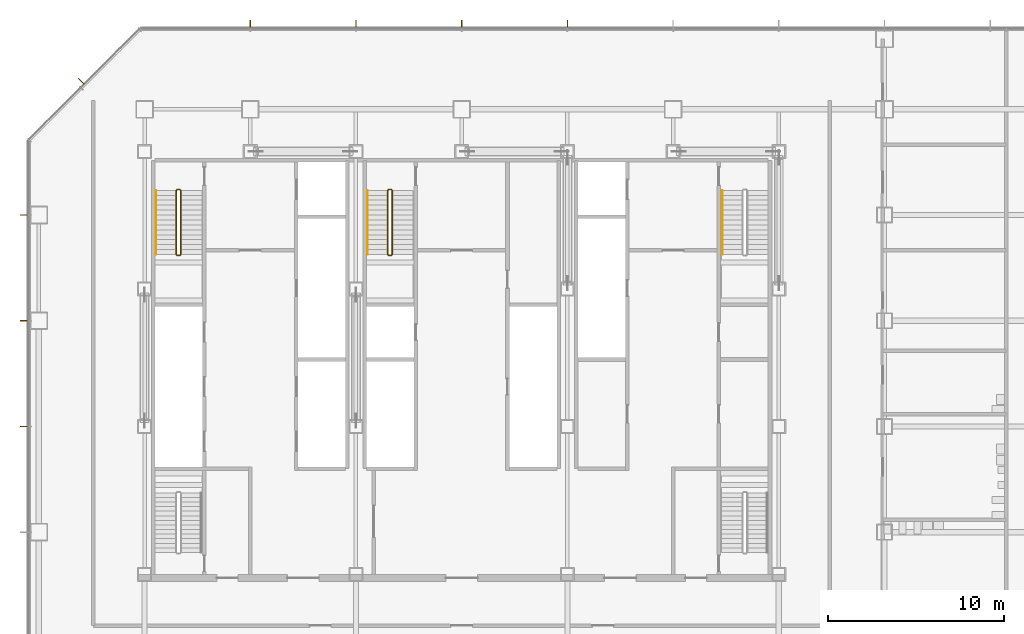
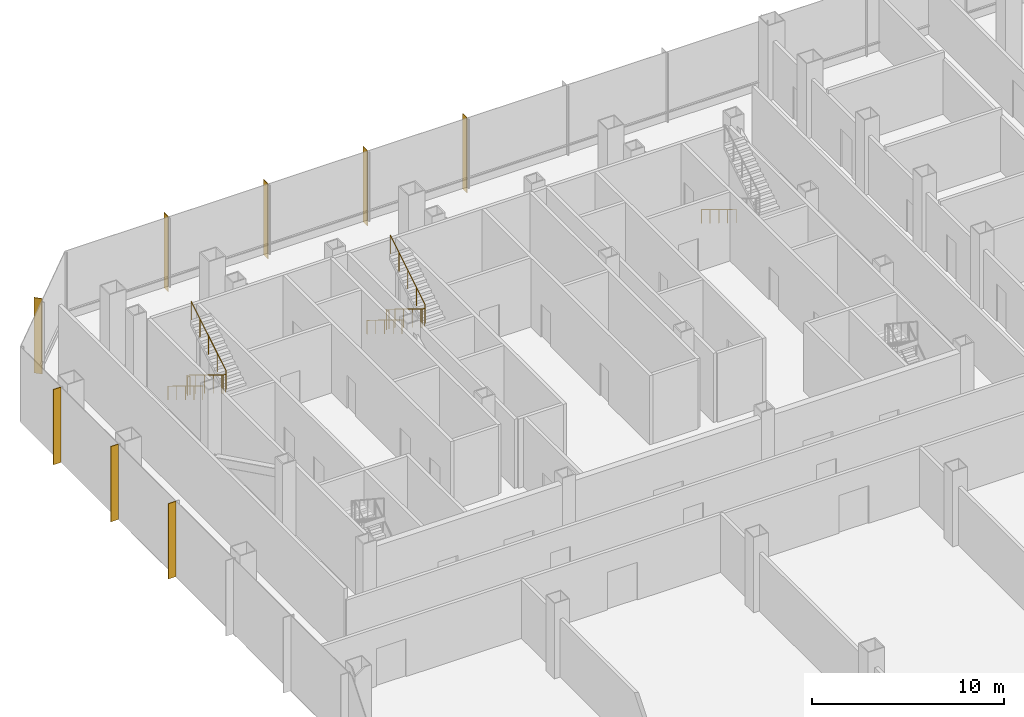
# One storey, part 29 of 33: 8 shading devices, 5 railings.
"""IFC4 building model written with IfcOpenShell, lengths in metres."""

from ifc_helpers import new_model, si_unit, direction, frame, origin, origin_2d, place, context, subcontext, project, spatial, rectangle, circle, extrude, material, material_profile, profile_set, type_object, element, save


model = new_model("IFC4")

# Units and contexts
model_context = context("Model", 3, precision=1e-05, world=origin(), true_north=direction((0.0, 1.0)))
body_context = subcontext(model_context, "Body", "Model", "MODEL_VIEW")
ifc_project = project(units=[si_unit("LENGTHUNIT", "METRE"), si_unit("AREAUNIT", "SQUARE_METRE"), si_unit("VOLUMEUNIT", "CUBIC_METRE"), si_unit("PLANEANGLEUNIT", "RADIAN"), si_unit("MASSUNIT", "GRAM", prefix="KILO")], contexts=[model_context])

# Site, building, storey
site_placement = place(None, origin())
site = spatial("IfcSite", under=ifc_project, at=site_placement, CompositionType="ELEMENT")
building_placement = place(site_placement, origin())
building = spatial("IfcBuilding", under=site, at=building_placement, Name="Sorahane Residences", CompositionType="ELEMENT")
storey_placement = place(building_placement, frame((0.0, 0.0, 25.199951171875)))
storey = spatial("IfcBuildingStorey", under=building, at=storey_placement, Name="L03", CompositionType="ELEMENT", Elevation=25.199951171875)

# Shading devices
ifc_material_1 = material(Name="Terracotta anodised aluminium", Category="masonry")
ifc_material_profile = material_profile(ifc_material_1, rectangle(XDim=0.449951171875, YDim=0.0400390625, at=origin_2d()), Name="Podium vertical fin terracotta anodised aluminium 450x40")
ifc_profile_set = profile_set([ifc_material_profile], Name="Terracotta anodised aluminium")
shading_device_type = type_object("IfcShadingDeviceType", Name="Podium vertical fin terracotta anodised aluminium 450x40", PredefinedType="USERDEFINED", material=ifc_profile_set)
for number, where, z_axis, x_axis, name in (
    (1, (30.0, 52.844970703125, -0.39990234375), (0.0, 0.0, 1.0), (0.0, 1.0, 0.0), "Podium vertical fin L03 N1.6"),
    (2, (24.0, 52.844970703125, -0.39990234375), (0.0, 0.0, 1.0), (0.0, 1.0, 0.0), "Podium vertical fin L03 N1.7"),
    (3, (18.0, 52.844970703125, -0.39990234375), (0.0, 0.0, 1.0), (0.0, 1.0, 0.0), "Podium vertical fin L03 N1.8"),
    (4, (12.0, 52.844970703125, -0.39990234375), (0.0, 0.0, 1.0), (0.0, 1.0, 0.0), "Podium vertical fin L03 N1.9"),
    (5, (2.402587890625, 49.597412109375, -0.39990234375), (0.0, 0.0, 1.0), (-0.707106781187, 0.707106781187, 0.0), "Podium vertical fin L03 NW1.1"),
    (6, (-0.844970703125, 42.0, -0.39990234375), (0.0, 0.0, 1.0), (-1.0, 0.0, 0.0), "Podium vertical fin L03 W1.1"),
    (7, (-0.844970703125, 36.0, -0.39990234375), (0.0, 0.0, 1.0), (-1.0, 0.0, 0.0), "Podium vertical fin L03 W1.2"),
    (8, (-0.844970703125, 30.0, -0.39990234375), (0.0, 0.0, 1.0), (-1.0, 0.0, 0.0), "Podium vertical fin L03 W1.3"),
):
    element("IfcShadingDevice", number, at=place(storey_placement, frame(where, z_axis=z_axis, x_axis=x_axis)), inside=storey, type_object=shading_device_type, Name=name, ObjectType="Vertical fin", PredefinedType="USERDEFINED", context=body_context, shape_type="SweptSolid", body=[
        extrude(rectangle(XDim=0.449951171875, YDim=0.0400390625, at=origin_2d()), origin(), (0.0, 0.0, 1.0), 4.800048828125),
    ])

# Railings
ifc_material_2 = material(Name="Steel Q355B", Category="steel")
railing_type_1 = type_object("IfcRailingType", Name="Stair guard 1200 Steel Q355B", PredefinedType="GUARDRAIL", material=ifc_material_2)
railing_1_placement = place(storey_placement, frame((8.0, 43.449951171875, 0.0)))
element("IfcRailing", 9, at=railing_1_placement, inside=storey, type_object=railing_type_1, Name="L03 S1 stair guard 1", PredefinedType="GUARDRAIL", context=body_context, shape_type="SweptSolid", body=[
    extrude(circle(Radius=0.02392578125, at=origin_2d()), frame((0.0, 0.0, 1.17578125), z_axis=(-1.0, 0.0, 0.0), x_axis=(0.0, -1.0, 0.0)), (0.0, 0.0, 1.0), 0.14990234375),
    extrude(circle(Radius=0.02392578125, at=origin_2d()), frame((-0.14990234375, 0.0, 1.17578125), z_axis=(-0.269911200495, -0.269911200495, 0.924281281696), x_axis=(0.707106781187, -0.707106781187, 0.0)), (0.0, 0.0, 1.0), 0.185546875),
    extrude(circle(Radius=0.02392578125, at=origin_2d()), frame((-0.199951171875, -0.050048828125, 1.34716796875), z_axis=(0.0, -0.852824790078, 0.522197163366), x_axis=(1.0, 0.0, 0.0)), (0.0, 0.0, 1.0), 4.26806640625),
    extrude(circle(Radius=0.02392578125, at=origin_2d()), frame((-0.199951171875, -3.68994140625, 3.576171875), z_axis=(0.707106781187, -0.707106781187, 0.0), x_axis=(0.707106781187, 0.707106781187, 0.0)), (0.0, 0.0, 1.0), 0.07080078125),
    extrude(circle(Radius=0.02392578125, at=origin_2d()), frame((-0.14990234375, -3.739990234375, 3.576171875), z_axis=(1.0, 0.0, 0.0), x_axis=(0.0, 1.0, 0.0)), (0.0, 0.0, 1.0), 0.14990234375),
    extrude(circle(Radius=0.02392578125, at=origin_2d()), frame((0.0, -3.739990234375, 3.576171875), z_axis=(0.269911200495, 0.269911200495, 0.924281281696), x_axis=(-0.707106781187, 0.707106781187, 0.0)), (0.0, 0.0, 1.0), 0.185546875),
    extrude(circle(Radius=0.02392578125, at=origin_2d()), frame((0.050048828125, -3.68994140625, 3.74755859375), z_axis=(0.0, 0.852850264322, 0.5221555579), x_axis=(-1.0, 0.0, 0.0)), (0.0, 0.0, 1.0), 4.267822265625),
    extrude(circle(Radius=0.02099609375, at=origin_2d()), origin(), (0.0, 0.0, 1.0), 1.15185546875),
    extrude(circle(Radius=0.02099609375, at=origin_2d()), frame((-0.14990234375, 0.0, 0.0)), (0.0, 0.0, 1.0), 1.15185546875),
    extrude(circle(Radius=0.02099609375, at=origin_2d()), frame((-0.199951171875, -0.050048828125, 0.17138671875)), (0.0, 0.0, 1.0), 1.15185546875),
    extrude(circle(Radius=0.02099609375, at=origin_2d()), frame((-0.199951171875, -0.9599609375, 0.728515625)), (0.0, 0.0, 1.0), 1.15185546875),
    extrude(circle(Radius=0.02099609375, at=origin_2d()), frame((-0.199951171875, -1.8701171875, 1.28564453125)), (0.0, 0.0, 1.0), 1.15185546875),
    extrude(circle(Radius=0.02099609375, at=origin_2d()), frame((-0.199951171875, -2.780029296875, 1.843017578125)), (0.0, 0.0, 1.0), 1.15185546875),
    extrude(circle(Radius=0.02099609375, at=origin_2d()), frame((-0.199951171875, -3.68994140625, 2.400146484375)), (0.0, 0.0, 1.0), 1.15185546875),
    extrude(circle(Radius=0.02099609375, at=origin_2d()), frame((-0.14990234375, -3.739990234375, 2.400146484375)), (0.0, 0.0, 1.0), 1.15185546875),
    extrude(circle(Radius=0.02099609375, at=origin_2d()), frame((0.0, -3.739990234375, 2.400146484375)), (0.0, 0.0, 1.0), 1.15185546875),
    extrude(circle(Radius=0.02099609375, at=origin_2d()), frame((0.050048828125, -3.68994140625, 2.571533203125)), (0.0, 0.0, 1.0), 1.15185546875),
    extrude(circle(Radius=0.02099609375, at=origin_2d()), frame((0.050048828125, -2.780029296875, 3.128662109375)), (0.0, 0.0, 1.0), 1.15185546875),
    extrude(circle(Radius=0.02099609375, at=origin_2d()), frame((0.050048828125, -1.8701171875, 3.685791015625)), (0.0, 0.0, 1.0), 1.15185546875),
    extrude(circle(Radius=0.02099609375, at=origin_2d()), frame((0.050048828125, -0.9599609375, 4.242919921875)), (0.0, 0.0, 1.0), 1.15185546875),
    extrude(circle(Radius=0.02099609375, at=origin_2d()), frame((0.050048828125, -0.050048828125, 4.800048828125)), (0.0, 0.0, 1.0), 1.15185546875),
])
railing_2_placement = place(storey_placement, frame((20.0, 43.449951171875, 0.0)))
element("IfcRailing", 10, at=railing_2_placement, inside=storey, type_object=railing_type_1, Name="L03 S3 stair guard 1", PredefinedType="GUARDRAIL", context=body_context, shape_type="SweptSolid", body=[
    extrude(circle(Radius=0.02392578125, at=origin_2d()), frame((0.0, 0.0, 1.17578125), z_axis=(-1.0, 0.0, 0.0), x_axis=(0.0, -1.0, 0.0)), (0.0, 0.0, 1.0), 0.14990234375),
    extrude(circle(Radius=0.02392578125, at=origin_2d()), frame((-0.14990234375, 0.0, 1.17578125), z_axis=(-0.269911200495, -0.269911200495, 0.924281281696), x_axis=(0.707106781187, -0.707106781187, 0.0)), (0.0, 0.0, 1.0), 0.185546875),
    extrude(circle(Radius=0.02392578125, at=origin_2d()), frame((-0.199951171875, -0.050048828125, 1.34716796875), z_axis=(0.0, -0.852824790078, 0.522197163366), x_axis=(1.0, 0.0, 0.0)), (0.0, 0.0, 1.0), 4.26806640625),
    extrude(circle(Radius=0.02392578125, at=origin_2d()), frame((-0.199951171875, -3.68994140625, 3.576171875), z_axis=(0.707106781187, -0.707106781187, 0.0), x_axis=(0.707106781187, 0.707106781187, 0.0)), (0.0, 0.0, 1.0), 0.07080078125),
    extrude(circle(Radius=0.02392578125, at=origin_2d()), frame((-0.14990234375, -3.739990234375, 3.576171875), z_axis=(1.0, 0.0, 0.0), x_axis=(0.0, 1.0, 0.0)), (0.0, 0.0, 1.0), 0.14990234375),
    extrude(circle(Radius=0.02392578125, at=origin_2d()), frame((0.0, -3.739990234375, 3.576171875), z_axis=(0.269911200495, 0.269911200495, 0.924281281696), x_axis=(-0.707106781187, 0.707106781187, 0.0)), (0.0, 0.0, 1.0), 0.185546875),
    extrude(circle(Radius=0.02392578125, at=origin_2d()), frame((0.050048828125, -3.68994140625, 3.74755859375), z_axis=(0.0, 0.852850264322, 0.5221555579), x_axis=(-1.0, 0.0, 0.0)), (0.0, 0.0, 1.0), 4.267822265625),
    extrude(circle(Radius=0.02099609375, at=origin_2d()), origin(), (0.0, 0.0, 1.0), 1.15185546875),
    extrude(circle(Radius=0.02099609375, at=origin_2d()), frame((-0.14990234375, 0.0, 0.0)), (0.0, 0.0, 1.0), 1.15185546875),
    extrude(circle(Radius=0.02099609375, at=origin_2d()), frame((-0.199951171875, -0.050048828125, 0.17138671875)), (0.0, 0.0, 1.0), 1.15185546875),
    extrude(circle(Radius=0.02099609375, at=origin_2d()), frame((-0.199951171875, -0.9599609375, 0.728515625)), (0.0, 0.0, 1.0), 1.15185546875),
    extrude(circle(Radius=0.02099609375, at=origin_2d()), frame((-0.199951171875, -1.8701171875, 1.28564453125)), (0.0, 0.0, 1.0), 1.15185546875),
    extrude(circle(Radius=0.02099609375, at=origin_2d()), frame((-0.199951171875, -2.780029296875, 1.843017578125)), (0.0, 0.0, 1.0), 1.15185546875),
    extrude(circle(Radius=0.02099609375, at=origin_2d()), frame((-0.199951171875, -3.68994140625, 2.400146484375)), (0.0, 0.0, 1.0), 1.15185546875),
    extrude(circle(Radius=0.02099609375, at=origin_2d()), frame((-0.14990234375, -3.739990234375, 2.400146484375)), (0.0, 0.0, 1.0), 1.15185546875),
    extrude(circle(Radius=0.02099609375, at=origin_2d()), frame((0.0, -3.739990234375, 2.400146484375)), (0.0, 0.0, 1.0), 1.15185546875),
    extrude(circle(Radius=0.02099609375, at=origin_2d()), frame((0.050048828125, -3.68994140625, 2.571533203125)), (0.0, 0.0, 1.0), 1.15185546875),
    extrude(circle(Radius=0.02099609375, at=origin_2d()), frame((0.050048828125, -2.780029296875, 3.128662109375)), (0.0, 0.0, 1.0), 1.15185546875),
    extrude(circle(Radius=0.02099609375, at=origin_2d()), frame((0.050048828125, -1.8701171875, 3.685791015625)), (0.0, 0.0, 1.0), 1.15185546875),
    extrude(circle(Radius=0.02099609375, at=origin_2d()), frame((0.050048828125, -0.9599609375, 4.242919921875)), (0.0, 0.0, 1.0), 1.15185546875),
    extrude(circle(Radius=0.02099609375, at=origin_2d()), frame((0.050048828125, -0.050048828125, 4.800048828125)), (0.0, 0.0, 1.0), 1.15185546875),
])
ifc_material_3 = material(Name="Steel Q355B", Category="steel")
railing_type_2 = type_object("IfcRailingType", Name="Stair handrail 900 Steel Q355B", PredefinedType="HANDRAIL", material=ifc_material_3)
for number, where, name in (
    (11, (6.64990234375, 43.39990234375, 0.17138671875), "L03 S1 stair handrail 1"),
    (12, (38.800048828125, 43.39990234375, 0.17138671875), "L03 S2 stair handrail 1"),
    (13, (18.64990234375, 43.39990234375, 0.17138671875), "L03 S3 stair handrail 1"),
):
    element("IfcRailing", number, at=place(storey_placement, frame(where)), inside=storey, type_object=railing_type_2, Name=name, PredefinedType="HANDRAIL", context=body_context, shape_type="SweptSolid", body=[
        extrude(circle(Radius=0.02392578125, at=origin_2d()), frame((0.0, 0.0, 0.8759765625), z_axis=(0.0, -0.852824790078, 0.522197163366), x_axis=(1.0, 0.0, 0.0)), (0.0, 0.0, 1.0), 4.26806640625),
        extrude(circle(Radius=0.02099609375, at=origin_2d()), origin(), (0.0, 0.0, 1.0), 0.851806640625),
        extrude(circle(Radius=0.02099609375, at=origin_2d()), frame((0.0, -0.909912109375, 0.55712890625)), (0.0, 0.0, 1.0), 0.851806640625),
        extrude(circle(Radius=0.02099609375, at=origin_2d()), frame((0.0, -1.81982421875, 1.1142578125)), (0.0, 0.0, 1.0), 0.851806640625),
        extrude(circle(Radius=0.02099609375, at=origin_2d()), frame((0.0, -2.72998046875, 1.671630859375)), (0.0, 0.0, 1.0), 0.851806640625),
        extrude(circle(Radius=0.02099609375, at=origin_2d()), frame((0.0, -3.639892578125, 2.228759765625)), (0.0, 0.0, 1.0), 0.851806640625),
    ])

save(model, "model.ifc")
